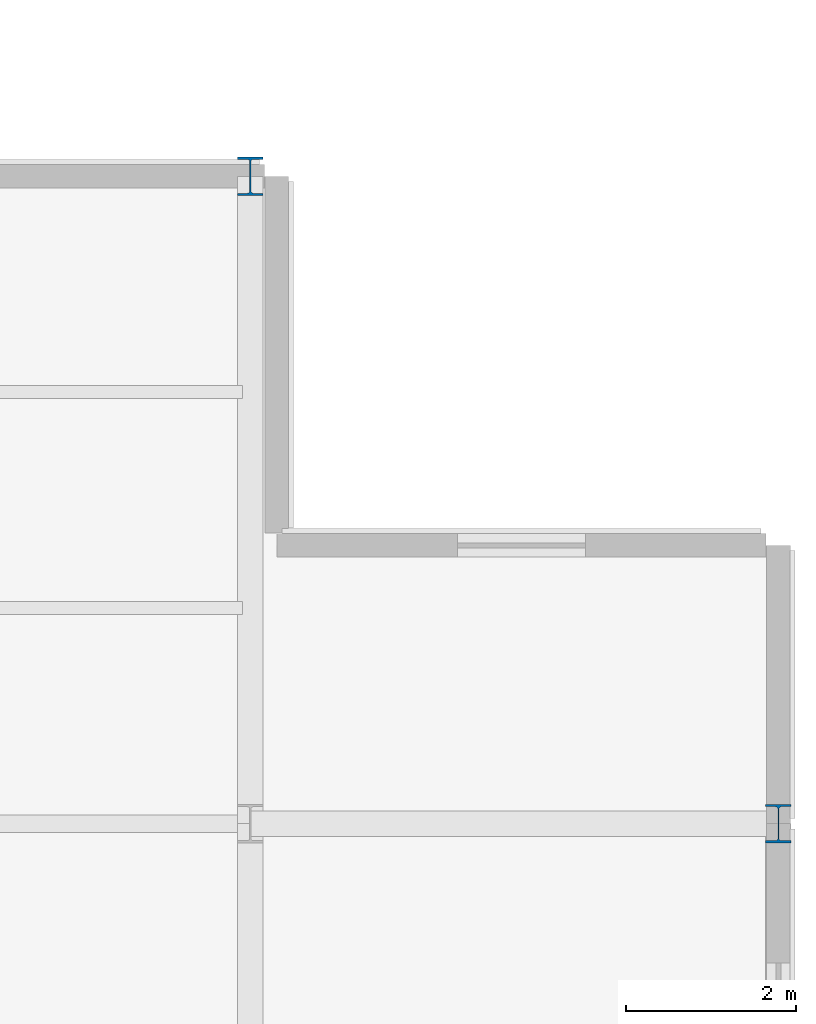
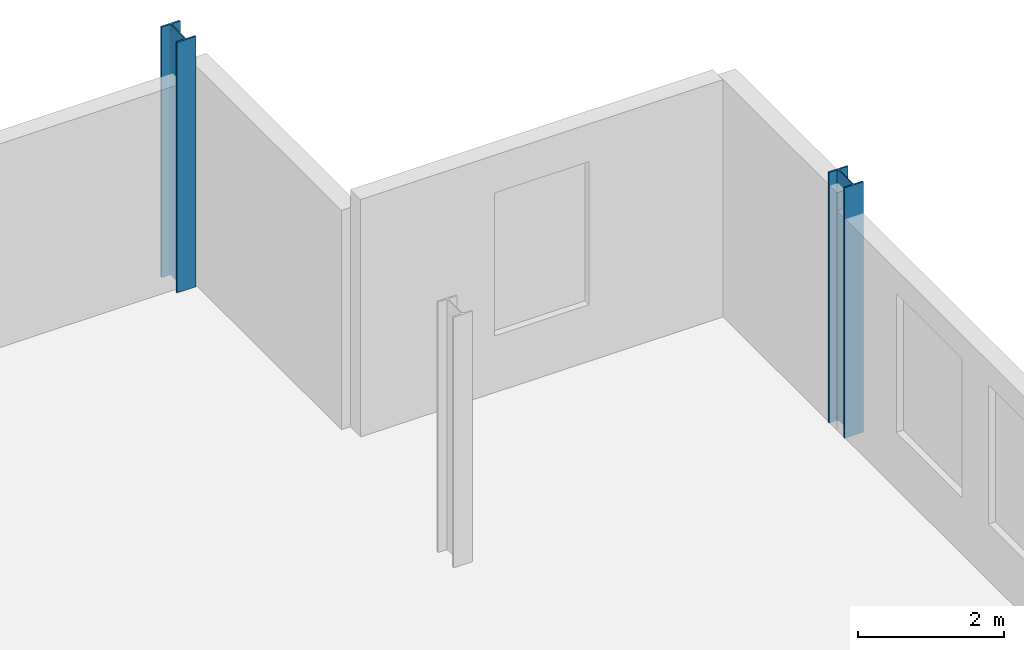
# One storey, part 14 of 93: 2 columns.
"""IFC4 building model written with IfcOpenShell, lengths in metres."""

from ifc_helpers import new_model, si_unit, direction, frame, origin, origin_2d, place, context, subcontext, project, spatial, i_section, extrude, material, material_profile, profile_set, type_object, element, save


model = new_model("IFC4")

# Units and contexts
model_context = context("Model", 3, precision=1e-05, world=origin(), true_north=direction((0.0, 1.0)))
body_context = subcontext(model_context, "Body", "Model", "MODEL_VIEW")
ifc_project = project(units=[si_unit("LENGTHUNIT", "METRE"), si_unit("AREAUNIT", "SQUARE_METRE"), si_unit("VOLUMEUNIT", "CUBIC_METRE"), si_unit("PLANEANGLEUNIT", "RADIAN"), si_unit("MASSUNIT", "GRAM", prefix="KILO")], contexts=[model_context])

# Site, building, storey
site_placement = place(None, origin())
site = spatial("IfcSite", under=ifc_project, at=site_placement, CompositionType="ELEMENT")
building_placement = place(site_placement, origin())
building = spatial("IfcBuilding", under=site, at=building_placement, Name="Vekula Escarpment Museum", CompositionType="ELEMENT")
storey_placement = place(building_placement, frame((0.0, 0.0, 22.199951171875)))
storey = spatial("IfcBuildingStorey", under=building, at=storey_placement, Name="L05", CompositionType="ELEMENT", Elevation=22.199951171875)

# Columns
ifc_material = material(Name="Steel S355", Category="steel")
ifc_material_profile = material_profile(ifc_material, i_section(OverallWidth=0.300048828125, OverallDepth=0.449951171875, WebThickness=0.013916015625, FlangeThickness=0.02587890625, FilletRadius=0.027099609375, at=origin_2d()), Name="HEB 450")
ifc_profile_set = profile_set([ifc_material_profile], Name="Steel S355")
column_type = type_object("IfcColumnType", Name="COL-S-HEB450", PredefinedType="COLUMN", material=ifc_profile_set)
for number, where, z_axis, x_axis, name in (
    (1, (191.800048828125, 120.800048828125, 0.0), (0.0, 0.0, 1.0), (1.0, 0.0, 0.0), "Column L05 (191.8,120.8)"),
    (2, (198.0, 113.199951171875, 0.0), (0.0, 0.0, 1.0), (1.0, 0.0, 0.0), "Column L05 (198.0,113.2)"),
):
    element("IfcColumn", number, at=place(storey_placement, frame(where, z_axis=z_axis, x_axis=x_axis)), inside=storey, type_object=column_type, Name=name, PredefinedType="COLUMN", context=body_context, shape_type="SweptSolid", body=[
        extrude(i_section(OverallWidth=0.300048828125, OverallDepth=0.449951171875, WebThickness=0.013916015625, FlangeThickness=0.02587890625, FilletRadius=0.027099609375, at=origin_2d()), origin(), (0.0, 0.0, 1.0), 4.199951171875),
    ])

save(model, "model.ifc")
